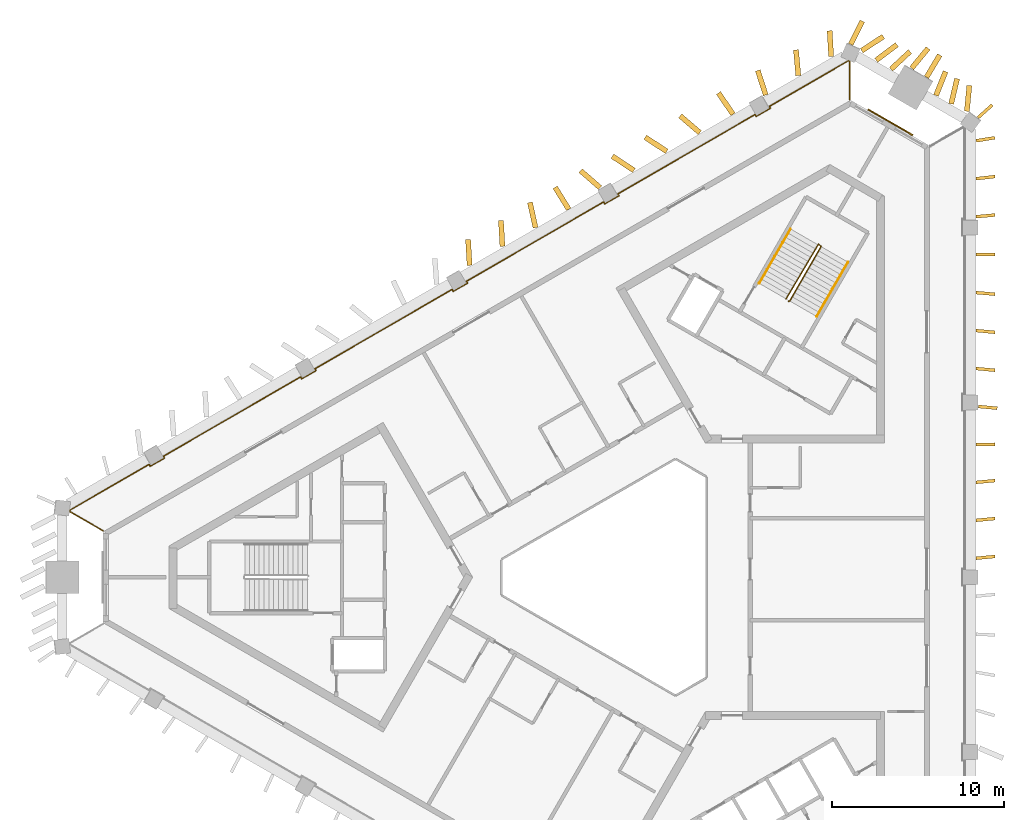
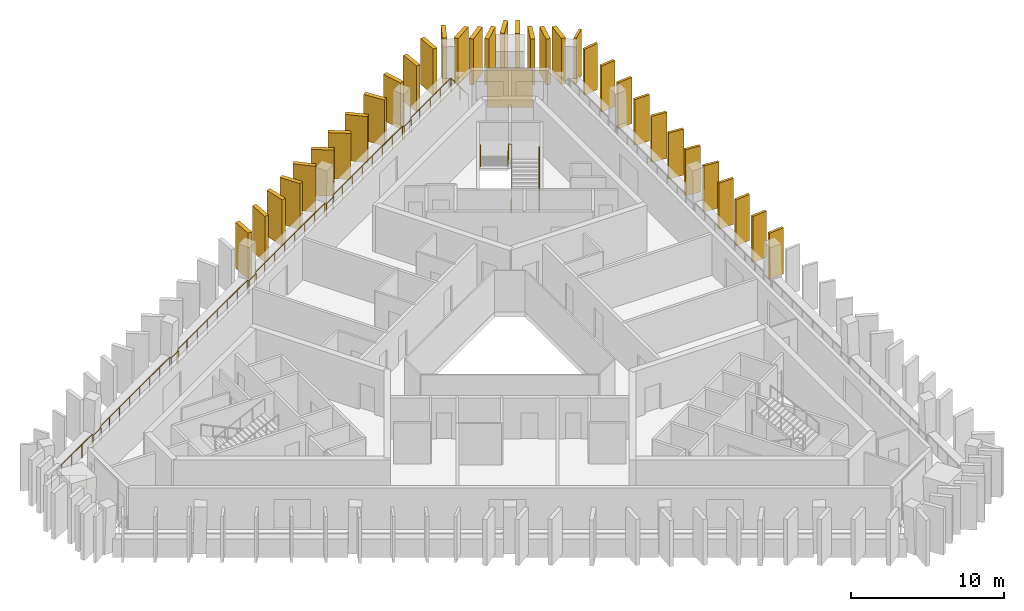
# One storey, part 9 of 9: 34 shading devices, 4 railings, 1 covering.
"""IFC4 building model written with IfcOpenShell, lengths in metres."""

from ifc_helpers import new_model, si_unit, direction, frame, frame_2d, origin, origin_2d, place, context, subcontext, project, spatial, rectangle, circle, extrude, material, layer, layer_set, type_object, element, save


model = new_model("IFC4")

# Units and contexts
model_context = context("Model", 3, precision=1e-05, world=origin(), true_north=direction((0.0, 1.0)))
body_context = subcontext(model_context, "Body", "Model", "MODEL_VIEW")
ifc_project = project(units=[si_unit("LENGTHUNIT", "METRE"), si_unit("AREAUNIT", "SQUARE_METRE"), si_unit("VOLUMEUNIT", "CUBIC_METRE"), si_unit("PLANEANGLEUNIT", "RADIAN"), si_unit("MASSUNIT", "GRAM", prefix="KILO")], contexts=[model_context])

# Site, building, storey
site_placement = place(None, origin())
site = spatial("IfcSite", under=ifc_project, at=site_placement, CompositionType="ELEMENT")
building_placement = place(site_placement, origin())
building = spatial("IfcBuilding", under=site, at=building_placement, Name="Jabali Bay Hotel Tower and Convention Centre", CompositionType="ELEMENT")
storey_placement = place(building_placement, frame((0.0, 0.0, 235.39990234375)))
storey = spatial("IfcBuildingStorey", under=building, at=storey_placement, Name="L58", CompositionType="ELEMENT", Elevation=235.39990234375)

# Railing
ifc_material_1 = material(Name="Glass", Category="glass")
railing_type_1 = type_object("IfcRailingType", Name="Loggia glass guard 1100", PredefinedType="BALUSTRADE", material=ifc_material_1)
railing_1_placement = place(storey_placement, frame((44.564697265625, 82.69677734375, 0.0)))
element("IfcRailing", 1, at=railing_1_placement, inside=storey, type_object=railing_type_1, Name="Loggia glass guard L58", PredefinedType="BALUSTRADE", context=body_context, shape_type="SweptSolid", body=[
    extrude(circle(Radius=0.02490234375, at=origin_2d()), frame((0.0, 0.0, 1.0751953125), z_axis=(-0.86603545466, 0.499982590969, 0.0), x_axis=(-0.495705170593, -0.85862640129, 0.13052619222)), (0.0, 0.0, 1.0), 2.24755859375),
    extrude(circle(Radius=0.02490234375, at=origin_2d()), frame((-1.946533203125, 1.123779296875, 1.0751953125), z_axis=(0.123587346971, 0.992333697739, 0.0), x_axis=(-0.983844145392, 0.122530040085, 0.13052619222)), (0.0, 0.0, 1.0), 0.067138671875),
    extrude(circle(Radius=0.02490234375, at=origin_2d()), frame((-1.938232421875, 1.1904296875, 1.0751953125), z_axis=(0.866022770786, 0.500004560459, 0.0), x_axis=(-0.49572695213, 0.858613825929, 0.13052619222)), (0.0, 0.0, 1.0), 5.31884765625),
    extrude(circle(Radius=0.02490234375, at=origin_2d()), frame((2.66796875, 3.849853515625, 1.0751953125), z_axis=(0.499497219344, -0.8663154898, 0.0), x_axis=(0.858904040691, 0.495223951389, 0.13052619222)), (0.0, 0.0, 1.0), 0.125244140625),
    extrude(circle(Radius=0.02490234375, at=origin_2d()), frame((2.73046875, 3.741455078125, 1.0751953125), z_axis=(0.865924446982, 0.500174821557, 0.0), x_axis=(-0.495895756621, 0.858516343298, 0.13052619222)), (0.0, 0.0, 1.0), 0.949951171875),
    extrude(circle(Radius=0.02490234375, at=origin_2d()), frame((3.552978515625, 4.216552734375, 1.0751953125), z_axis=(-0.500342721131, 0.865827443207, 0.0), x_axis=(-0.858420169404, -0.496062219791, 0.13052619222)), (0.0, 0.0, 1.0), 0.125),
    extrude(circle(Radius=0.02490234375, at=origin_2d()), frame((3.490478515625, 4.32470703125, 1.0751953125), z_axis=(0.866021626938, 0.500006541634, 0.0), x_axis=(-0.495728916356, 0.858612691866, 0.13052619222)), (0.0, 0.0, 1.0), 9.19970703125),
    extrude(circle(Radius=0.02490234375, at=origin_2d()), frame((11.45751953125, 8.924560546875, 1.0751953125), z_axis=(0.499497219344, -0.8663154898, 0.0), x_axis=(0.858904040691, 0.495223951389, 0.13052619222)), (0.0, 0.0, 1.0), 0.125244140625),
    extrude(circle(Radius=0.02490234375, at=origin_2d()), frame((11.52001953125, 8.816162109375, 1.0751953125), z_axis=(0.865988727248, 0.500063520245, 0.0), x_axis=(-0.495785407507, 0.858580073638, 0.13052619222)), (0.0, 0.0, 1.0), 0.9501953125),
    extrude(circle(Radius=0.02490234375, at=origin_2d()), frame((12.3427734375, 9.291259765625, 1.0751953125), z_axis=(-0.500342721131, 0.865827443207, 0.0), x_axis=(-0.858420169404, -0.496062219791, 0.13052619222)), (0.0, 0.0, 1.0), 0.125),
    extrude(circle(Radius=0.02490234375, at=origin_2d()), frame((12.2802734375, 9.3994140625, 1.0751953125), z_axis=(0.866021626938, 0.500006541634, 0.0), x_axis=(-0.495728916356, 0.858612691866, 0.13052619222)), (0.0, 0.0, 1.0), 9.19970703125),
    extrude(circle(Radius=0.02490234375, at=origin_2d()), frame((20.247314453125, 13.999267578125, 1.0751953125), z_axis=(0.500342721131, -0.865827443207, 0.0), x_axis=(0.858420169404, 0.496062219791, 0.13052619222)), (0.0, 0.0, 1.0), 0.125),
    extrude(circle(Radius=0.02490234375, at=origin_2d()), frame((20.309814453125, 13.89111328125, 1.0751953125), z_axis=(0.866100000774, 0.49987077196, 0.0), x_axis=(-0.495594308211, 0.858690395203, 0.13052619222)), (0.0, 0.0, 1.0), 0.949951171875),
    extrude(circle(Radius=0.02490234375, at=origin_2d()), frame((21.132568359375, 14.365966796875, 1.0751953125), z_axis=(-0.499497219344, 0.8663154898, 0.0), x_axis=(-0.858904040691, -0.495223951389, 0.13052619222)), (0.0, 0.0, 1.0), 0.125244140625),
    extrude(circle(Radius=0.02490234375, at=origin_2d()), frame((21.070068359375, 14.474365234375, 1.0751953125), z_axis=(0.866033118346, 0.499986637749, 0.0), x_axis=(-0.495709182751, 0.858624084964, 0.13052619222)), (0.0, 0.0, 1.0), 9.199462890625),
    extrude(circle(Radius=0.02490234375, at=origin_2d()), frame((29.037109375, 19.073974609375, 1.0751953125), z_axis=(0.500342721131, -0.865827443207, 0.0), x_axis=(0.858420169404, 0.496062219791, 0.13052619222)), (0.0, 0.0, 1.0), 0.125),
    extrude(circle(Radius=0.02490234375, at=origin_2d()), frame((29.099609375, 18.9658203125, 1.0751953125), z_axis=(0.866100000774, 0.49987077196, 0.0), x_axis=(-0.495594308211, 0.858690395203, 0.13052619222)), (0.0, 0.0, 1.0), 0.949951171875),
    extrude(circle(Radius=0.02490234375, at=origin_2d()), frame((29.92236328125, 19.440673828125, 1.0751953125), z_axis=(-0.499497219344, 0.8663154898, 0.0), x_axis=(-0.858904040691, -0.495223951389, 0.13052619222)), (0.0, 0.0, 1.0), 0.125244140625),
    extrude(circle(Radius=0.02490234375, at=origin_2d()), frame((29.85986328125, 19.549072265625, 1.0751953125), z_axis=(0.866021626938, 0.500006541634, 0.0), x_axis=(-0.495728916356, 0.858612691866, 0.13052619222)), (0.0, 0.0, 1.0), 9.19970703125),
    extrude(circle(Radius=0.02490234375, at=origin_2d()), frame((37.826904296875, 24.14892578125, 1.0751953125), z_axis=(0.499497219344, -0.8663154898, 0.0), x_axis=(0.858904040691, 0.495223951389, 0.13052619222)), (0.0, 0.0, 1.0), 0.125244140625),
    extrude(circle(Radius=0.02490234375, at=origin_2d()), frame((37.889404296875, 24.04052734375, 1.0751953125), z_axis=(0.865988727248, 0.500063520245, 0.0), x_axis=(-0.495785407507, 0.858580073638, 0.13052619222)), (0.0, 0.0, 1.0), 0.9501953125),
    extrude(circle(Radius=0.02490234375, at=origin_2d()), frame((38.712158203125, 24.515625, 1.0751953125), z_axis=(-0.500342721131, 0.865827443207, 0.0), x_axis=(-0.858420169404, -0.496062219791, 0.13052619222)), (0.0, 0.0, 1.0), 0.125),
    extrude(circle(Radius=0.02490234375, at=origin_2d()), frame((38.649658203125, 24.623779296875, 1.0751953125), z_axis=(0.866011294529, 0.500024437152, 0.0), x_axis=(-0.495746658775, 0.858602447852, 0.13052619222)), (0.0, 0.0, 1.0), 5.318603515625),
    extrude(circle(Radius=0.02490234375, at=origin_2d()), frame((43.255615234375, 27.283203125, 1.0751953125), z_axis=(0.921017487124, -0.389521229732, 0.0), x_axis=(0.386188821614, 0.913138054844, 0.13052619222)), (0.0, 0.0, 1.0), 0.067138671875),
    extrude(circle(Radius=0.02490234375, at=origin_2d()), frame((43.3173828125, 27.257080078125, 1.0751953125), z_axis=(0.0, -1.0, 0.0), x_axis=(0.991444861374, 0.0, 0.13052619222)), (0.0, 0.0, 1.0), 2.247802734375),
    extrude(circle(Radius=0.02001953125, at=origin_2d()), origin(), (0.0, 0.0, 1.0), 1.050048828125),
    extrude(circle(Radius=0.02001953125, at=origin_2d()), frame((-0.97314453125, 0.56201171875, 0.0)), (0.0, 0.0, 1.0), 1.050048828125),
    extrude(circle(Radius=0.02001953125, at=origin_2d()), frame((-1.946533203125, 1.123779296875, 0.0)), (0.0, 0.0, 1.0), 1.050048828125),
    extrude(circle(Radius=0.02001953125, at=origin_2d()), frame((-1.938232421875, 1.1904296875, 0.0)), (0.0, 0.0, 1.0), 1.050048828125),
    extrude(circle(Radius=0.02001953125, at=origin_2d()), frame((-0.78662109375, 1.855224609375, 0.0)), (0.0, 0.0, 1.0), 1.050048828125),
    extrude(circle(Radius=0.02001953125, at=origin_2d()), frame((0.36474609375, 2.52001953125, 0.0)), (0.0, 0.0, 1.0), 1.050048828125),
    extrude(circle(Radius=0.02001953125, at=origin_2d()), frame((1.516357421875, 3.18505859375, 0.0)), (0.0, 0.0, 1.0), 1.050048828125),
    extrude(circle(Radius=0.02001953125, at=origin_2d()), frame((2.66796875, 3.849853515625, 0.0)), (0.0, 0.0, 1.0), 1.050048828125),
    extrude(circle(Radius=0.02001953125, at=origin_2d()), frame((2.73046875, 3.741455078125, 0.0)), (0.0, 0.0, 1.0), 1.050048828125),
    extrude(circle(Radius=0.02001953125, at=origin_2d()), frame((3.552978515625, 4.216552734375, 0.0)), (0.0, 0.0, 1.0), 1.050048828125),
    extrude(circle(Radius=0.02001953125, at=origin_2d()), frame((3.490478515625, 4.32470703125, 0.0)), (0.0, 0.0, 1.0), 1.050048828125),
    extrude(circle(Radius=0.02001953125, at=origin_2d()), frame((4.628662109375, 4.98193359375, 0.0)), (0.0, 0.0, 1.0), 1.050048828125),
    extrude(circle(Radius=0.02001953125, at=origin_2d()), frame((5.766845703125, 5.638916015625, 0.0)), (0.0, 0.0, 1.0), 1.050048828125),
    extrude(circle(Radius=0.02001953125, at=origin_2d()), frame((6.905029296875, 6.296142578125, 0.0)), (0.0, 0.0, 1.0), 1.050048828125),
    extrude(circle(Radius=0.02001953125, at=origin_2d()), frame((8.04296875, 6.953125, 0.0)), (0.0, 0.0, 1.0), 1.050048828125),
    extrude(circle(Radius=0.02001953125, at=origin_2d()), frame((9.18115234375, 7.6103515625, 0.0)), (0.0, 0.0, 1.0), 1.050048828125),
    extrude(circle(Radius=0.02001953125, at=origin_2d()), frame((10.3193359375, 8.267333984375, 0.0)), (0.0, 0.0, 1.0), 1.050048828125),
    extrude(circle(Radius=0.02001953125, at=origin_2d()), frame((11.45751953125, 8.924560546875, 0.0)), (0.0, 0.0, 1.0), 1.050048828125),
    extrude(circle(Radius=0.02001953125, at=origin_2d()), frame((11.52001953125, 8.816162109375, 0.0)), (0.0, 0.0, 1.0), 1.050048828125),
    extrude(circle(Radius=0.02001953125, at=origin_2d()), frame((12.3427734375, 9.291259765625, 0.0)), (0.0, 0.0, 1.0), 1.050048828125),
    extrude(circle(Radius=0.02001953125, at=origin_2d()), frame((12.2802734375, 9.3994140625, 0.0)), (0.0, 0.0, 1.0), 1.050048828125),
    extrude(circle(Radius=0.02001953125, at=origin_2d()), frame((13.41845703125, 10.056640625, 0.0)), (0.0, 0.0, 1.0), 1.050048828125),
    extrude(circle(Radius=0.02001953125, at=origin_2d()), frame((14.556640625, 10.713623046875, 0.0)), (0.0, 0.0, 1.0), 1.050048828125),
    extrude(circle(Radius=0.02001953125, at=origin_2d()), frame((15.69482421875, 11.370849609375, 0.0)), (0.0, 0.0, 1.0), 1.050048828125),
    extrude(circle(Radius=0.02001953125, at=origin_2d()), frame((16.832763671875, 12.02783203125, 0.0)), (0.0, 0.0, 1.0), 1.050048828125),
    extrude(circle(Radius=0.02001953125, at=origin_2d()), frame((17.970947265625, 12.68505859375, 0.0)), (0.0, 0.0, 1.0), 1.050048828125),
    extrude(circle(Radius=0.02001953125, at=origin_2d()), frame((19.109130859375, 13.342041015625, 0.0)), (0.0, 0.0, 1.0), 1.050048828125),
    extrude(circle(Radius=0.02001953125, at=origin_2d()), frame((20.247314453125, 13.999267578125, 0.0)), (0.0, 0.0, 1.0), 1.050048828125),
    extrude(circle(Radius=0.02001953125, at=origin_2d()), frame((20.309814453125, 13.89111328125, 0.0)), (0.0, 0.0, 1.0), 1.050048828125),
    extrude(circle(Radius=0.02001953125, at=origin_2d()), frame((21.132568359375, 14.365966796875, 0.0)), (0.0, 0.0, 1.0), 1.050048828125),
    extrude(circle(Radius=0.02001953125, at=origin_2d()), frame((21.070068359375, 14.474365234375, 0.0)), (0.0, 0.0, 1.0), 1.050048828125),
    extrude(circle(Radius=0.02001953125, at=origin_2d()), frame((22.208251953125, 15.13134765625, 0.0)), (0.0, 0.0, 1.0), 1.050048828125),
    extrude(circle(Radius=0.02001953125, at=origin_2d()), frame((23.346435546875, 15.78857421875, 0.0)), (0.0, 0.0, 1.0), 1.050048828125),
    extrude(circle(Radius=0.02001953125, at=origin_2d()), frame((24.484619140625, 16.445556640625, 0.0)), (0.0, 0.0, 1.0), 1.050048828125),
    extrude(circle(Radius=0.02001953125, at=origin_2d()), frame((25.62255859375, 17.102783203125, 0.0)), (0.0, 0.0, 1.0), 1.050048828125),
    extrude(circle(Radius=0.02001953125, at=origin_2d()), frame((26.7607421875, 17.759765625, 0.0)), (0.0, 0.0, 1.0), 1.050048828125),
    extrude(circle(Radius=0.02001953125, at=origin_2d()), frame((27.89892578125, 18.4169921875, 0.0)), (0.0, 0.0, 1.0), 1.050048828125),
    extrude(circle(Radius=0.02001953125, at=origin_2d()), frame((29.037109375, 19.073974609375, 0.0)), (0.0, 0.0, 1.0), 1.050048828125),
    extrude(circle(Radius=0.02001953125, at=origin_2d()), frame((29.099609375, 18.9658203125, 0.0)), (0.0, 0.0, 1.0), 1.050048828125),
    extrude(circle(Radius=0.02001953125, at=origin_2d()), frame((29.92236328125, 19.440673828125, 0.0)), (0.0, 0.0, 1.0), 1.050048828125),
    extrude(circle(Radius=0.02001953125, at=origin_2d()), frame((29.85986328125, 19.549072265625, 0.0)), (0.0, 0.0, 1.0), 1.050048828125),
    extrude(circle(Radius=0.02001953125, at=origin_2d()), frame((30.998046875, 20.206298828125, 0.0)), (0.0, 0.0, 1.0), 1.050048828125),
    extrude(circle(Radius=0.02001953125, at=origin_2d()), frame((32.13623046875, 20.86328125, 0.0)), (0.0, 0.0, 1.0), 1.050048828125),
    extrude(circle(Radius=0.02001953125, at=origin_2d()), frame((33.2744140625, 21.5205078125, 0.0)), (0.0, 0.0, 1.0), 1.050048828125),
    extrude(circle(Radius=0.02001953125, at=origin_2d()), frame((34.412353515625, 22.177490234375, 0.0)), (0.0, 0.0, 1.0), 1.050048828125),
    extrude(circle(Radius=0.02001953125, at=origin_2d()), frame((35.550537109375, 22.834716796875, 0.0)), (0.0, 0.0, 1.0), 1.050048828125),
    extrude(circle(Radius=0.02001953125, at=origin_2d()), frame((36.688720703125, 23.49169921875, 0.0)), (0.0, 0.0, 1.0), 1.050048828125),
    extrude(circle(Radius=0.02001953125, at=origin_2d()), frame((37.826904296875, 24.14892578125, 0.0)), (0.0, 0.0, 1.0), 1.050048828125),
    extrude(circle(Radius=0.02001953125, at=origin_2d()), frame((37.889404296875, 24.04052734375, 0.0)), (0.0, 0.0, 1.0), 1.050048828125),
    extrude(circle(Radius=0.02001953125, at=origin_2d()), frame((38.712158203125, 24.515625, 0.0)), (0.0, 0.0, 1.0), 1.050048828125),
    extrude(circle(Radius=0.02001953125, at=origin_2d()), frame((38.649658203125, 24.623779296875, 0.0)), (0.0, 0.0, 1.0), 1.050048828125),
    extrude(circle(Radius=0.02001953125, at=origin_2d()), frame((39.80126953125, 25.28857421875, 0.0)), (0.0, 0.0, 1.0), 1.050048828125),
    extrude(circle(Radius=0.02001953125, at=origin_2d()), frame((40.95263671875, 25.95361328125, 0.0)), (0.0, 0.0, 1.0), 1.050048828125),
    extrude(circle(Radius=0.02001953125, at=origin_2d()), frame((42.10400390625, 26.618408203125, 0.0)), (0.0, 0.0, 1.0), 1.050048828125),
    extrude(circle(Radius=0.02001953125, at=origin_2d()), frame((43.255615234375, 27.283203125, 0.0)), (0.0, 0.0, 1.0), 1.050048828125),
    extrude(circle(Radius=0.02001953125, at=origin_2d()), frame((43.3173828125, 27.257080078125, 0.0)), (0.0, 0.0, 1.0), 1.050048828125),
    extrude(circle(Radius=0.02001953125, at=origin_2d()), frame((43.3173828125, 26.13330078125, 0.0)), (0.0, 0.0, 1.0), 1.050048828125),
    extrude(circle(Radius=0.02001953125, at=origin_2d()), frame((43.3173828125, 25.00927734375, 0.0)), (0.0, 0.0, 1.0), 1.050048828125),
])

# Shading devices
ifc_material_2 = material(Name="Precast concrete C60", Category="concrete")
ifc_layer_1 = layer(ifc_material_2, 0.179931640625)
ifc_layer_set_1 = layer_set([ifc_layer_1], Name="Precast concrete C60")
shading_device_type_1 = type_object("IfcShadingDeviceType", Name="Precast fin 3680 x 1100", PredefinedType="USERDEFINED", material=ifc_layer_set_1)
for number, where, z_axis, x_axis, name in (
    (2, (95.204345703125, 81.10107421875, 0.010009765625), (0.0, 0.0, 1.0), (0.99532733104, 0.096558293712, 0.0), "Fin L58 012"),
    (3, (95.2041015625, 83.302978515625, 0.010009765625), (0.0, 0.0, 1.0), (0.995498464841, 0.094777668782, 0.0), "Fin L58 013"),
):
    element("IfcShadingDevice", number, at=place(storey_placement, frame(where, z_axis=z_axis, x_axis=x_axis)), inside=storey, type_object=shading_device_type_1, Name=name, ObjectType="FIN", PredefinedType="USERDEFINED", context=body_context, shape_type="SweptSolid", body=[
        extrude(rectangle(XDim=1.099853515625, YDim=0.179931640625, at=frame_2d((0.5498046875, 0.0))), origin(), (0.0, 0.0, 1.0), 3.68017578125),
    ])
shading_device_1_placement = place(storey_placement, frame((95.2041015625, 85.5048828125, 0.010009765625), z_axis=(0.0, 0.0, 1.0), x_axis=(0.995563042641, 0.094096908176, 0.0)))
element("IfcShadingDevice", 4, at=shading_device_1_placement, inside=storey, type_object=shading_device_type_1, Name="Fin L58 014", ObjectType="FIN", PredefinedType="USERDEFINED", context=body_context, shape_type="SweptSolid", body=[
    extrude(rectangle(XDim=1.10009765625, YDim=0.179931640625, at=frame_2d((0.550048828125, 0.0))), origin(), (0.0, 0.0, 1.0), 3.68017578125),
])
for number, where, z_axis, x_axis, name in (
    (5, (95.1962890625, 87.70703125, 0.010009765625), (0.0, 0.0, 1.0), (0.999977827816, 0.00665911983, 0.0), "Fin L58 015"),
    (6, (95.336669921875, 89.908935546875, 0.010009765625), (0.0, 0.0, 1.0), (0.9956025797, -0.093677656328, 0.0), "Fin L58 016"),
):
    element("IfcShadingDevice", number, at=place(storey_placement, frame(where, z_axis=z_axis, x_axis=x_axis)), inside=storey, type_object=shading_device_type_1, Name=name, ObjectType="FIN", PredefinedType="USERDEFINED", context=body_context, shape_type="SweptSolid", body=[
        extrude(rectangle(XDim=1.099853515625, YDim=0.179931640625, at=frame_2d((0.5498046875, 0.0))), origin(), (0.0, 0.0, 1.0), 3.68017578125),
    ])
for number, where, z_axis, x_axis, name in (
    (7, (95.2041015625, 92.11083984375, 0.010009765625), (0.0, 0.0, 1.0), (0.995604527084, -0.093656957296, 0.0), "Fin L58 017"),
    (8, (95.2041015625, 94.31298828125, 0.010009765625), (0.0, 0.0, 1.0), (0.995563042641, -0.094096908176, 0.0), "Fin L58 018"),
):
    element("IfcShadingDevice", number, at=place(storey_placement, frame(where, z_axis=z_axis, x_axis=x_axis)), inside=storey, type_object=shading_device_type_1, Name=name, ObjectType="FIN", PredefinedType="USERDEFINED", context=body_context, shape_type="SweptSolid", body=[
        extrude(rectangle(XDim=1.10009765625, YDim=0.179931640625, at=frame_2d((0.550048828125, 0.0))), origin(), (0.0, 0.0, 1.0), 3.68017578125),
    ])
shading_device_2_placement = place(storey_placement, frame((95.203369140625, 96.514892578125, 0.010009765625), z_axis=(0.0, 0.0, 1.0), x_axis=(0.996380028525, -0.085010815532, 0.0)))
element("IfcShadingDevice", 9, at=shading_device_2_placement, inside=storey, type_object=shading_device_type_1, Name="Fin L58 019", ObjectType="FIN", PredefinedType="USERDEFINED", context=body_context, shape_type="SweptSolid", body=[
    extrude(rectangle(XDim=1.099853515625, YDim=0.179931640625, at=frame_2d((0.5498046875, 0.0))), origin(), (0.0, 0.0, 1.0), 3.68017578125),
])
shading_device_3_placement = place(storey_placement, frame((95.19580078125, 98.716796875, 0.010009765625), z_axis=(0.0, 0.0, 1.0), x_axis=(0.999994459276, 0.003328876362, 0.0)))
element("IfcShadingDevice", 10, at=shading_device_3_placement, inside=storey, type_object=shading_device_type_1, Name="Fin L58 020", ObjectType="FIN", PredefinedType="USERDEFINED", context=body_context, shape_type="SweptSolid", body=[
    extrude(rectangle(XDim=1.10009765625, YDim=0.179931640625, at=frame_2d((0.550048828125, 0.0))), origin(), (0.0, 0.0, 1.0), 3.68017578125),
])
for number, where, z_axis, x_axis, name in (
    (11, (95.20361328125, 100.9189453125, 0.010009765625), (0.0, 0.0, 1.0), (0.996129850025, 0.087893810296, 0.0), "Fin L58 021"),
    (12, (95.2060546875, 103.120849609375, 0.010009765625), (0.0, 0.0, 1.0), (0.993341686949, 0.115205438106, 0.0), "Fin L58 022"),
):
    element("IfcShadingDevice", number, at=place(storey_placement, frame(where, z_axis=z_axis, x_axis=x_axis)), inside=storey, type_object=shading_device_type_1, Name=name, ObjectType="FIN", PredefinedType="USERDEFINED", context=body_context, shape_type="SweptSolid", body=[
        extrude(rectangle(XDim=1.099853515625, YDim=0.179931640625, at=frame_2d((0.5498046875, 0.0))), origin(), (0.0, 0.0, 1.0), 3.68017578125),
    ])
shading_device_4_placement = place(storey_placement, frame((95.2099609375, 105.32275390625, 0.010009765625), z_axis=(0.0, 0.0, 1.0), x_axis=(0.987080826308, 0.160223101752, 0.0)))
element("IfcShadingDevice", 13, at=shading_device_4_placement, inside=storey, type_object=shading_device_type_1, Name="Fin L58 023", ObjectType="FIN", PredefinedType="USERDEFINED", context=body_context, shape_type="SweptSolid", body=[
    extrude(rectangle(XDim=1.10009765625, YDim=0.179931640625, at=frame_2d((0.550048828125, 0.0))), origin(), (0.0, 0.0, 1.0), 3.68017578125),
])
shading_device_5_placement = place(storey_placement, frame((95.3193359375, 106.6640625, 0.010009765625), z_axis=(0.0, 0.0, 1.0), x_axis=(0.745618553975, 0.666372997628, 0.0)))
element("IfcShadingDevice", 14, at=shading_device_5_placement, inside=storey, type_object=shading_device_type_1, Name="Fin L58 097", ObjectType="FIN", PredefinedType="USERDEFINED", context=body_context, shape_type="SweptSolid", body=[
    extrude(rectangle(XDim=1.099853515625, YDim=0.179931640625, at=frame_2d((0.5498046875, 0.0))), origin(), (0.0, 0.0, 1.0), 3.68017578125),
])
ifc_layer_2 = layer(ifc_material_2, 0.300048828125)
ifc_layer_set_2 = layer_set([ifc_layer_2], Name="Precast concrete C60")
shading_device_type_2 = type_object("IfcShadingDeviceType", Name="Precast fin 3680 x 1500", PredefinedType="USERDEFINED", material=ifc_layer_set_2)
shading_device_6_placement = place(storey_placement, frame((94.673828125, 107.032470703125, 0.010009765625), z_axis=(0.0, 0.0, 1.0), x_axis=(0.094555644076, 0.995519577996, 0.0)))
element("IfcShadingDevice", 15, at=shading_device_6_placement, inside=storey, type_object=shading_device_type_2, Name="Fin L58 024", ObjectType="FIN", PredefinedType="USERDEFINED", context=body_context, shape_type="SweptSolid", body=[
    extrude(rectangle(XDim=1.500244140625, YDim=0.300048828125, at=frame_2d((0.75, 0.0))), origin(), (0.0, 0.0, 1.0), 3.68017578125),
])
shading_device_7_placement = place(storey_placement, frame((93.76123046875, 107.46435546875, 0.010009765625), z_axis=(0.0, 0.0, 1.0), x_axis=(0.228531241854, 0.973536579434, 0.0)))
element("IfcShadingDevice", 16, at=shading_device_7_placement, inside=storey, type_object=shading_device_type_2, Name="Fin L58 025", ObjectType="FIN", PredefinedType="USERDEFINED", context=body_context, shape_type="SweptSolid", body=[
    extrude(rectangle(XDim=1.5, YDim=0.300048828125, at=frame_2d((0.75, 0.0))), origin(), (0.0, 0.0, 1.0), 3.68017578125),
])
shading_device_8_placement = place(storey_placement, frame((92.878662109375, 107.9482421875, 0.010009765625), z_axis=(0.0, 0.0, 1.0), x_axis=(0.373410477027, 0.927666219955, 0.0)))
element("IfcShadingDevice", 17, at=shading_device_8_placement, inside=storey, type_object=shading_device_type_2, Name="Fin L58 026", ObjectType="FIN", PredefinedType="USERDEFINED", context=body_context, shape_type="SweptSolid", body=[
    extrude(rectangle(XDim=1.499755859375, YDim=0.300048828125, at=frame_2d((0.75, 0.0))), origin(), (0.0, 0.0, 1.0), 3.68017578125),
])
shading_device_9_placement = place(storey_placement, frame((92.3291015625, 109.0087890625, 0.010009765625), z_axis=(0.0, 0.0, 1.0), x_axis=(0.513442348782, 0.858124090373, 0.0)))
element("IfcShadingDevice", 18, at=shading_device_9_placement, inside=storey, type_object=shading_device_type_2, Name="Fin L58 027", ObjectType="FIN", PredefinedType="USERDEFINED", context=body_context, shape_type="SweptSolid", body=[
    extrude(rectangle(XDim=1.500244140625, YDim=0.300048828125, at=frame_2d((0.75, 0.0))), origin(), (0.0, 0.0, 1.0), 3.68017578125),
])
for number, where, z_axis, x_axis, name in (
    (19, (91.468994140625, 109.53125, 0.010009765625), (0.0, 0.0, 1.0), (0.635433365456, 0.772155708433, 0.0), "Fin L58 028"),
    (20, (90.27587890625, 109.477294921875, 0.010009765625), (0.0, 0.0, 1.0), (0.731493555526, 0.681848354272, 0.0), "Fin L58 029"),
    (21, (89.411865234375, 109.9931640625, 0.010009765625), (0.0, 0.0, 1.0), (0.799589683651, 0.600546699099, 0.0), "Fin L58 030"),
    (22, (88.571044921875, 110.548828125, 0.010009765625), (0.0, 0.0, 1.0), (0.83593590558, 0.548827078196, 0.0), "Fin L58 031"),
    (23, (86.798828125, 110.20947265625, 0.010009765625), (0.0, 0.0, 1.0), (-0.05908459668, 0.998252979177, 0.0), "Fin L58 032"),
    (24, (84.89404296875, 109.104736328125, 0.010009765625), (0.0, 0.0, 1.0), (-0.090814552081, 0.995867821114, 0.0), "Fin L58 033"),
    (25, (83.002685546875, 107.9765625, 0.010009765625), (0.0, 0.0, 1.0), (-0.307473564986, 0.951556623031, 0.0), "Fin L58 034"),
):
    element("IfcShadingDevice", number, at=place(storey_placement, frame(where, z_axis=z_axis, x_axis=x_axis)), inside=storey, type_object=shading_device_type_2, Name=name, ObjectType="FIN", PredefinedType="USERDEFINED", context=body_context, shape_type="SweptSolid", body=[
        extrude(rectangle(XDim=1.5, YDim=0.300048828125, at=frame_2d((0.75, 0.0))), origin(), (0.0, 0.0, 1.0), 3.68017578125),
    ])
shading_device_10_placement = place(storey_placement, frame((81.10595703125, 106.85791015625, 0.010009765625), z_axis=(0.0, 0.0, 1.0), x_axis=(-0.563084308573, 0.82639945634, 0.0)))
element("IfcShadingDevice", 26, at=shading_device_10_placement, inside=storey, type_object=shading_device_type_2, Name="Fin L58 035", ObjectType="FIN", PredefinedType="USERDEFINED", context=body_context, shape_type="SweptSolid", body=[
    extrude(rectangle(XDim=1.500244140625, YDim=0.300048828125, at=frame_2d((0.75, 0.0))), origin(), (0.0, 0.0, 1.0), 3.68017578125),
])
for number, where, z_axis, x_axis, name in (
    (27, (79.1796875, 105.790283203125, 0.010009765625), (0.0, 0.0, 1.0), (-0.758773866566, 0.651354142857, 0.0), "Fin L58 036"),
    (28, (77.263916015625, 104.704833984375, 0.010009765625), (0.0, 0.0, 1.0), (-0.836059575503, 0.548638666346, 0.0), "Fin L58 037"),
    (29, (75.35693359375, 103.603759765625, 0.010009765625), (0.0, 0.0, 1.0), (-0.836059575503, 0.548638666346, 0.0), "Fin L58 038"),
    (30, (73.39306640625, 102.601318359375, 0.010009765625), (0.0, 0.0, 1.0), (-0.753714848004, 0.657201588478, 0.0), "Fin L58 039"),
    (31, (71.57421875, 101.347412109375, 0.010009765625), (0.0, 0.0, 1.0), (-0.526057602458, 0.850448939617, 0.0), "Fin L58 040"),
    (32, (69.64697265625, 100.281494140625, 0.010009765625), (0.0, 0.0, 1.0), (-0.215482690322, 0.976507660068, 0.0), "Fin L58 041"),
    (33, (67.72900390625, 99.19970703125, 0.010009765625), (0.0, 0.0, 1.0), (-0.057290813732, 0.998357532481, 0.0), "Fin L58 042"),
    (34, (65.822021484375, 98.098876953125, 0.010009765625), (0.0, 0.0, 1.0), (-0.057290813732, 0.998357532481, 0.0), "Fin L58 043"),
    (35, (87.93212890625, 110.919921875, 0.010009765625), (0.0, 0.0, 1.0), (0.446106531363, 0.89497986719, 0.0), "Fin L58 098"),
):
    element("IfcShadingDevice", number, at=place(storey_placement, frame(where, z_axis=z_axis, x_axis=x_axis)), inside=storey, type_object=shading_device_type_2, Name=name, ObjectType="FIN", PredefinedType="USERDEFINED", context=body_context, shape_type="SweptSolid", body=[
        extrude(rectangle(XDim=1.5, YDim=0.300048828125, at=frame_2d((0.75, 0.0))), origin(), (0.0, 0.0, 1.0), 3.68017578125),
    ])

# Covering
ifc_material_3 = material(Name="Precast concrete C40/50", Category="concrete")
ifc_layer_3 = layer(ifc_material_3, 0.080078125)
ifc_layer_set_3 = layer_set([ifc_layer_3], Name="Precast concrete C40/50")
covering_type = type_object("IfcCoveringType", Name="Relief panel 3000 x 3100", PredefinedType="CLADDING", material=ifc_layer_set_3)
covering_placement = place(storey_placement, frame((90.237548828125, 106.392333984375, 0.10009765625), z_axis=(0.0, 0.0, 1.0), x_axis=(0.866025429214, -0.499999955955, 0.0)))
element("IfcCovering", 36, at=covering_placement, inside=storey, type_object=covering_type, Name="Relief panel L58", PredefinedType="CLADDING", context=body_context, shape_type="SweptSolid", body=[
    extrude(rectangle(XDim=3.0, YDim=0.080078125, at=origin_2d()), origin(), (0.0, 0.0, 1.0), 3.10009765625),
])

# Railings
ifc_material_4 = material(Name="Steel Q355B", Category="steel")
railing_type_2 = type_object("IfcRailingType", Name="Stair guard 1100", PredefinedType="GUARDRAIL", material=ifc_material_4)
railing_2_placement = place(storey_placement, frame((84.329833984375, 96.010009765625, 0.0)))
element("IfcRailing", 37, at=railing_2_placement, inside=storey, type_object=railing_type_2, Name="L58 ST2 stair guard 1", PredefinedType="GUARDRAIL", context=body_context, shape_type="SweptSolid", body=[
    extrude(circle(Radius=0.02392578125, at=origin_2d()), frame((0.0, 0.0, 1.076171875), z_axis=(0.455547195254, 0.122021570157, 0.88180921367), x_axis=(-0.258736085224, 0.965948051503, 0.0)), (0.0, 0.0, 1.0), 0.150146484375),
    extrude(circle(Radius=0.02392578125, at=origin_2d()), frame((0.068359375, 0.018310546875, 1.20849609375), z_axis=(0.452190331055, 0.783190014029, 0.426775475427), x_axis=(-0.866018046521, 0.500012742938, 0.0)), (0.0, 0.0, 1.0), 4.02490234375),
    extrude(circle(Radius=0.02392578125, at=origin_2d()), frame((1.888427734375, 3.170654296875, 2.92626953125), z_axis=(-0.718850276695, 0.695164929852, 0.0), x_axis=(-0.695164929852, -0.718850276695, 0.0)), (0.0, 0.0, 1.0), 0.2060546875),
    extrude(circle(Radius=0.02392578125, at=origin_2d()), frame((1.740234375, 3.31396484375, 2.92626953125), z_axis=(-0.457445338502, -0.768046879266, 0.448160410493), x_axis=(0.859157857954, -0.511710636118, 0.0)), (0.0, 0.0, 1.0), 4.128173828125),
    extrude(circle(Radius=0.02099609375, at=origin_2d()), origin(), (0.0, 0.0, 1.0), 1.052001953125),
    extrude(circle(Radius=0.02099609375, at=origin_2d()), frame((0.068359375, 0.018310546875, 0.13232421875)), (0.0, 0.0, 1.0), 1.052001953125),
    extrude(circle(Radius=0.02099609375, at=origin_2d()), frame((0.5234375, 0.806396484375, 0.561767578125)), (0.0, 0.0, 1.0), 1.052001953125),
    extrude(circle(Radius=0.02099609375, at=origin_2d()), frame((0.978515625, 1.594482421875, 0.9912109375)), (0.0, 0.0, 1.0), 1.052001953125),
    extrude(circle(Radius=0.02099609375, at=origin_2d()), frame((1.433349609375, 2.382568359375, 1.420654296875)), (0.0, 0.0, 1.0), 1.052001953125),
    extrude(circle(Radius=0.02099609375, at=origin_2d()), frame((1.888427734375, 3.170654296875, 1.85009765625)), (0.0, 0.0, 1.0), 1.052001953125),
    extrude(circle(Radius=0.02099609375, at=origin_2d()), frame((1.740234375, 3.31396484375, 1.85009765625)), (0.0, 0.0, 1.0), 1.052001953125),
    extrude(circle(Radius=0.02099609375, at=origin_2d()), frame((1.26806640625, 2.521240234375, 2.3125)), (0.0, 0.0, 1.0), 1.052001953125),
    extrude(circle(Radius=0.02099609375, at=origin_2d()), frame((0.7958984375, 1.728515625, 2.775146484375)), (0.0, 0.0, 1.0), 1.052001953125),
    extrude(circle(Radius=0.02099609375, at=origin_2d()), frame((0.323974609375, 0.93603515625, 3.23779296875)), (0.0, 0.0, 1.0), 1.052001953125),
    extrude(circle(Radius=0.02099609375, at=origin_2d()), frame((-0.148193359375, 0.143310546875, 3.7001953125)), (0.0, 0.0, 1.0), 1.052001953125),
])
railing_type_3 = type_object("IfcRailingType", Name="Stair handrail 900", PredefinedType="HANDRAIL", material=ifc_material_4)
railing_3_placement = place(storey_placement, frame((85.95703125, 95.128173828125, 0.13232421875)))
element("IfcRailing", 38, at=railing_3_placement, inside=storey, type_object=railing_type_3, Name="L58 ST2 stair handrail 1", PredefinedType="HANDRAIL", context=body_context, shape_type="SweptSolid", body=[
    extrude(circle(Radius=0.02392578125, at=origin_2d()), frame((0.0, 0.0, 0.8759765625), z_axis=(0.452190331055, 0.783190014029, 0.426775475427), x_axis=(-0.866018046521, 0.500012742938, 0.0)), (0.0, 0.0, 1.0), 4.02490234375),
    extrude(circle(Radius=0.02099609375, at=origin_2d()), origin(), (0.0, 0.0, 1.0), 0.851806640625),
    extrude(circle(Radius=0.02099609375, at=origin_2d()), frame((0.455078125, 0.7880859375, 0.429443359375)), (0.0, 0.0, 1.0), 0.851806640625),
    extrude(circle(Radius=0.02099609375, at=origin_2d()), frame((0.91015625, 1.576171875, 0.85888671875)), (0.0, 0.0, 1.0), 0.851806640625),
    extrude(circle(Radius=0.02099609375, at=origin_2d()), frame((1.364990234375, 2.3642578125, 1.288330078125)), (0.0, 0.0, 1.0), 0.851806640625),
    extrude(circle(Radius=0.02099609375, at=origin_2d()), frame((1.820068359375, 3.15234375, 1.7177734375)), (0.0, 0.0, 1.0), 0.851806640625),
])
railing_4_placement = place(storey_placement, frame((84.44287109375, 100.20556640625, 1.982177734375)))
element("IfcRailing", 39, at=railing_4_placement, inside=storey, type_object=railing_type_3, Name="L58 ST2 stair handrail 2", PredefinedType="HANDRAIL", context=body_context, shape_type="SweptSolid", body=[
    extrude(circle(Radius=0.02392578125, at=origin_2d()), frame((0.0, 0.0, 0.8759765625), z_axis=(-0.45217862506, -0.783169739339, 0.426825081763), x_axis=(0.866018046521, -0.500012742938, 0.0)), (0.0, 0.0, 1.0), 4.025146484375),
    extrude(circle(Radius=0.02099609375, at=origin_2d()), origin(), (0.0, 0.0, 1.0), 0.851806640625),
    extrude(circle(Radius=0.02099609375, at=origin_2d()), frame((-0.455078125, -0.7880859375, 0.429443359375)), (0.0, 0.0, 1.0), 0.851806640625),
    extrude(circle(Radius=0.02099609375, at=origin_2d()), frame((-0.91015625, -1.576171875, 0.85888671875)), (0.0, 0.0, 1.0), 0.851806640625),
    extrude(circle(Radius=0.02099609375, at=origin_2d()), frame((-1.364990234375, -2.3642578125, 1.28857421875)), (0.0, 0.0, 1.0), 0.851806640625),
    extrude(circle(Radius=0.02099609375, at=origin_2d()), frame((-1.820068359375, -3.15234375, 1.718017578125)), (0.0, 0.0, 1.0), 0.851806640625),
])

save(model, "model.ifc")
